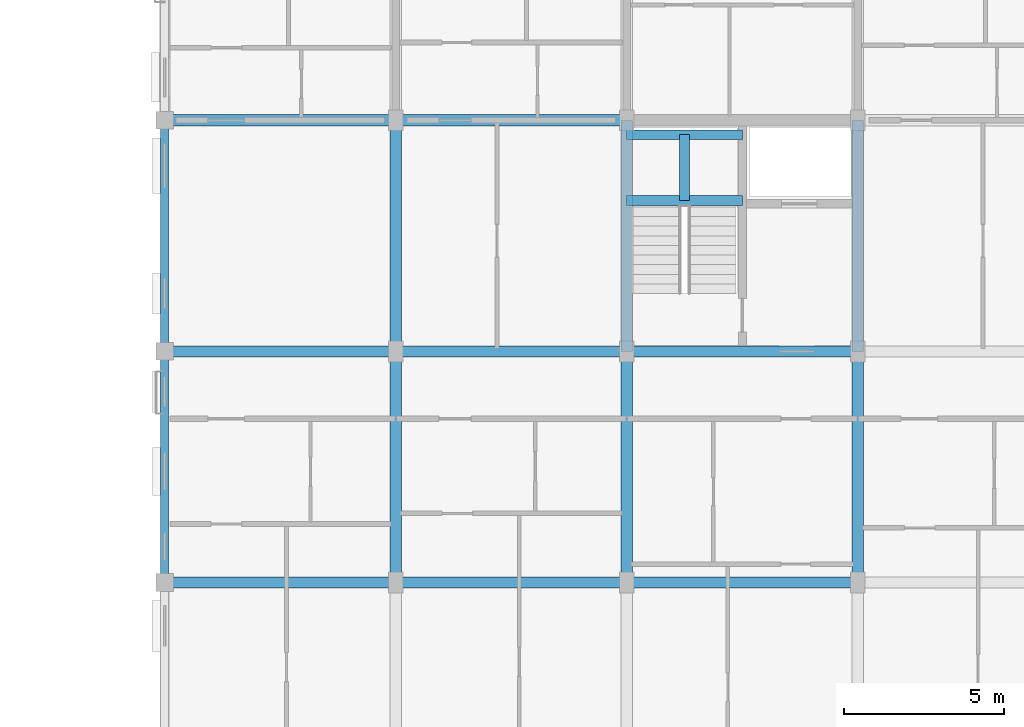
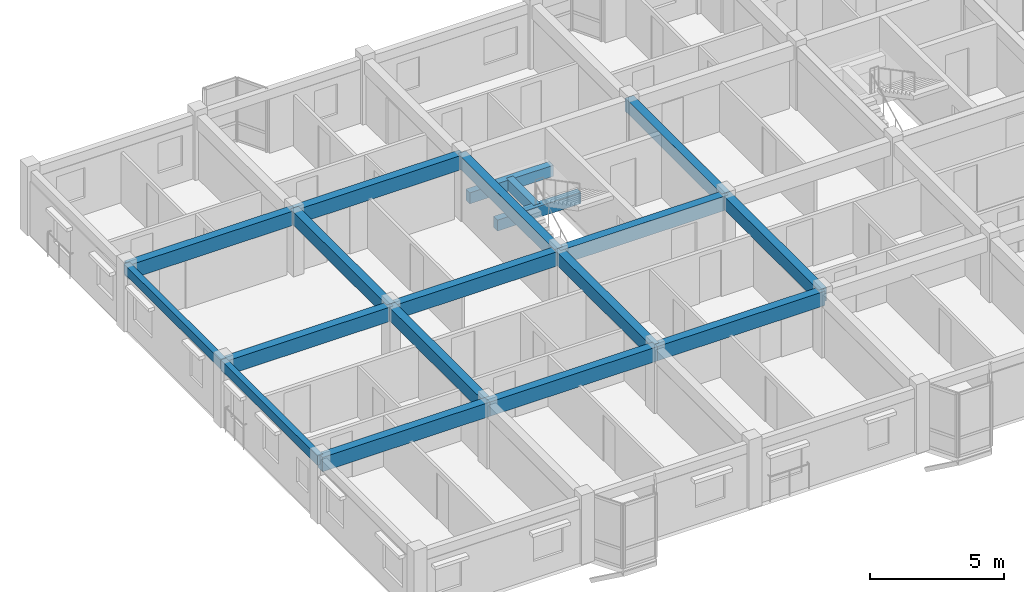
# One storey, part 36 of 79: 19 beams.
"""IFC4 building model written with IfcOpenShell, lengths in metres."""

from ifc_helpers import new_model, si_unit, direction, frame, origin, origin_2d, place, context, subcontext, project, spatial, rectangle, extrude, material, material_profile, profile_set, type_object, element, save


model = new_model("IFC4")

# Units and contexts
model_context = context("Model", 3, precision=1e-05, world=origin(), true_north=direction((0.0, 1.0)))
body_context = subcontext(model_context, "Body", "Model", "MODEL_VIEW")
ifc_project = project(units=[si_unit("LENGTHUNIT", "METRE"), si_unit("AREAUNIT", "SQUARE_METRE"), si_unit("VOLUMEUNIT", "CUBIC_METRE"), si_unit("PLANEANGLEUNIT", "RADIAN"), si_unit("MASSUNIT", "GRAM", prefix="KILO"), si_unit("THERMODYNAMICTEMPERATUREUNIT", "KELVIN"), si_unit("POWERUNIT", "WATT")], contexts=[model_context])

# Site, building, storey
site_placement = place(None, origin())
site = spatial("IfcSite", under=ifc_project, at=site_placement, CompositionType="ELEMENT")
building_placement = place(site_placement, origin())
building = spatial("IfcBuilding", under=site, at=building_placement, Name="Tavuni Mirador Residences", CompositionType="ELEMENT")
storey_placement = place(building_placement, frame((0.0, 0.0, 13.949951171875)))
storey = spatial("IfcBuildingStorey", under=building, at=storey_placement, Name="L04", CompositionType="ELEMENT", Elevation=13.949951171875)

# Beams
ifc_material = material(Name="Precast concrete C40/50", Category="concrete")
ifc_material_profile_1 = material_profile(ifc_material, rectangle(XDim=0.300048828125, YDim=0.5, at=origin_2d()), Name="PC 300x500", Category="concrete")
ifc_profile_set_1 = profile_set([ifc_material_profile_1], Name="Precast concrete C40/50")
beam_type_1 = type_object("IfcBeamType", Name="BT-B500", PredefinedType="BEAM", material=ifc_profile_set_1)
for number, where, z_axis, x_axis, name in (
    (1, (25.199951171875, 163.10009765625, 1.14501953125), (1.0, 0.0, 0.0), (0.0, 1.0, 0.0), "HLB1-C5-L04"),
    (2, (25.199951171875, 165.14990234375, 1.14501953125), (1.0, 0.0, 0.0), (0.0, 1.0, 0.0), "HLB2-C5-L04"),
):
    element("IfcBeam", number, at=place(storey_placement, frame(where, z_axis=z_axis, x_axis=x_axis)), inside=storey, type_object=beam_type_1, Name=name, PredefinedType="BEAM", context=body_context, shape_type="SweptSolid", body=[
        extrude(rectangle(XDim=0.300048828125, YDim=0.5, at=origin_2d()), origin(), (0.0, 0.0, 1.0), 3.60009765625),
    ])
beam_1_placement = place(storey_placement, frame((27.0, 163.10009765625, 1.14501953125), z_axis=(0.0, 1.0, 0.0), x_axis=(-1.0, 0.0, 0.0)))
element("IfcBeam", 3, at=beam_1_placement, inside=storey, type_object=beam_type_1, Name="HLB3-C5-L04", PredefinedType="BEAM", context=body_context, shape_type="SweptSolid", body=[
    extrude(rectangle(XDim=0.300048828125, YDim=0.5, at=origin_2d()), origin(), (0.0, 0.0, 1.0), 2.0498046875),
])
ifc_material_profile_2 = material_profile(ifc_material, rectangle(XDim=0.35009765625, YDim=0.60009765625, at=origin_2d()), Name="PC 350x600", Category="concrete")
ifc_profile_set_2 = profile_set([ifc_material_profile_2], Name="Precast concrete C40/50")
beam_type_2 = type_object("IfcBeamType", Name="BT-B600", PredefinedType="BEAM", material=ifc_profile_set_2)
beam_2_placement = place(storey_placement, frame((18.0, 151.199951171875, 2.5849609375), z_axis=(0.0, 1.0, 0.0), x_axis=(-1.0, 0.0, 0.0)))
element("IfcBeam", 4, at=beam_2_placement, inside=storey, type_object=beam_type_2, Name="BMY-BLK-C-L04-01-01", PredefinedType="BEAM", context=body_context, shape_type="SweptSolid", body=[
    extrude(rectangle(XDim=0.35009765625, YDim=0.60009765625, at=origin_2d()), origin(), (0.0, 0.0, 1.0), 7.199951171875),
])
beam_3_placement = place(storey_placement, frame((18.0, 158.39990234375, 2.5849609375), z_axis=(0.0, 1.0, 0.0), x_axis=(-1.0, 0.0, 0.0)))
element("IfcBeam", 5, at=beam_3_placement, inside=storey, type_object=beam_type_2, Name="BMY-BLK-C-L04-01-02", PredefinedType="BEAM", context=body_context, shape_type="SweptSolid", body=[
    extrude(rectangle(XDim=0.35009765625, YDim=0.60009765625, at=origin_2d()), origin(), (0.0, 0.0, 1.0), 7.2001953125),
])
beam_4_placement = place(storey_placement, frame((25.199951171875, 151.199951171875, 2.5849609375), z_axis=(0.0, 1.0, 0.0), x_axis=(-1.0, 0.0, 0.0)))
element("IfcBeam", 6, at=beam_4_placement, inside=storey, type_object=beam_type_2, Name="BMY-BLK-C-L04-02-01", PredefinedType="BEAM", context=body_context, shape_type="SweptSolid", body=[
    extrude(rectangle(XDim=0.35009765625, YDim=0.60009765625, at=origin_2d()), origin(), (0.0, 0.0, 1.0), 7.199951171875),
])
beam_5_placement = place(storey_placement, frame((25.199951171875, 158.39990234375, 2.5849609375), z_axis=(0.0, 1.0, 0.0), x_axis=(-1.0, 0.0, 0.0)))
element("IfcBeam", 7, at=beam_5_placement, inside=storey, type_object=beam_type_2, Name="BMY-BLK-C-L04-02-02", PredefinedType="BEAM", context=body_context, shape_type="SweptSolid", body=[
    extrude(rectangle(XDim=0.35009765625, YDim=0.60009765625, at=origin_2d()), origin(), (0.0, 0.0, 1.0), 7.2001953125),
])
beam_6_placement = place(storey_placement, frame((32.39990234375, 151.199951171875, 2.5849609375), z_axis=(0.0, 1.0, 0.0), x_axis=(-1.0, 0.0, 0.0)))
element("IfcBeam", 8, at=beam_6_placement, inside=storey, type_object=beam_type_2, Name="BMY-BLK-C-L04-03-01", PredefinedType="BEAM", context=body_context, shape_type="SweptSolid", body=[
    extrude(rectangle(XDim=0.35009765625, YDim=0.60009765625, at=origin_2d()), origin(), (0.0, 0.0, 1.0), 7.199951171875),
])
beam_7_placement = place(storey_placement, frame((32.39990234375, 158.39990234375, 2.5849609375), z_axis=(0.0, 1.0, 0.0), x_axis=(-1.0, 0.0, 0.0)))
element("IfcBeam", 9, at=beam_7_placement, inside=storey, type_object=beam_type_2, Name="BMY-BLK-C-L04-03-02", PredefinedType="BEAM", context=body_context, shape_type="SweptSolid", body=[
    extrude(rectangle(XDim=0.35009765625, YDim=0.60009765625, at=origin_2d()), origin(), (0.0, 0.0, 1.0), 7.2001953125),
])
ifc_material_profile_3 = material_profile(ifc_material, rectangle(XDim=0.35009765625, YDim=0.64990234375, at=origin_2d()), Name="PC 350x650", Category="concrete")
ifc_profile_set_3 = profile_set([ifc_material_profile_3], Name="Precast concrete C40/50")
beam_type_3 = type_object("IfcBeamType", Name="BT-B650", PredefinedType="BEAM", material=ifc_profile_set_3)
for number, where, z_axis, x_axis, name in (
    (10, (10.800048828125, 151.199951171875, 2.56005859375), (1.0, 0.0, 0.0), (0.0, 1.0, 0.0), "BMX-BLK-C-L04-00-01"),
    (11, (18.0, 151.199951171875, 2.56005859375), (1.0, 0.0, 0.0), (0.0, 1.0, 0.0), "BMX-BLK-C-L04-01-01"),
    (12, (25.199951171875, 151.199951171875, 2.56005859375), (1.0, 0.0, 0.0), (0.0, 1.0, 0.0), "BMX-BLK-C-L04-02-01"),
    (13, (10.800048828125, 158.39990234375, 2.56005859375), (1.0, 0.0, 0.0), (0.0, 1.0, 0.0), "BMX-BLK-C-L04-00-02"),
    (14, (18.0, 158.39990234375, 2.56005859375), (1.0, 0.0, 0.0), (0.0, 1.0, 0.0), "BMX-BLK-C-L04-01-02"),
    (15, (25.199951171875, 158.39990234375, 2.56005859375), (1.0, 0.0, 0.0), (0.0, 1.0, 0.0), "BMX-BLK-C-L04-02-02"),
    (16, (10.800048828125, 165.60009765625, 2.56005859375), (1.0, 0.0, 0.0), (0.0, 1.0, 0.0), "BMX-BLK-C-L04-00-03"),
    (17, (18.0, 165.60009765625, 2.56005859375), (1.0, 0.0, 0.0), (0.0, 1.0, 0.0), "BMX-BLK-C-L04-01-03"),
):
    element("IfcBeam", number, at=place(storey_placement, frame(where, z_axis=z_axis, x_axis=x_axis)), inside=storey, type_object=beam_type_3, Name=name, PredefinedType="BEAM", context=body_context, shape_type="SweptSolid", body=[
        extrude(rectangle(XDim=0.35009765625, YDim=0.64990234375, at=origin_2d()), origin(), (0.0, 0.0, 1.0), 7.199951171875),
    ])
ifc_material_profile_4 = material_profile(ifc_material, rectangle(XDim=0.25, YDim=0.419921875, at=origin_2d()), Name="PC 250x420", Category="concrete")
ifc_profile_set_4 = profile_set([ifc_material_profile_4], Name="Precast concrete C40/50")
beam_type_4 = type_object("IfcBeamType", Name="BT-SP420", PredefinedType="SPANDREL", material=ifc_profile_set_4)
beam_8_placement = place(storey_placement, frame((10.800048828125, 151.199951171875, 2.675048828125), z_axis=(0.0, 1.0, 0.0), x_axis=(-1.0, 0.0, 0.0)))
element("IfcBeam", 18, at=beam_8_placement, inside=storey, type_object=beam_type_4, Name="BMY-BLK-C-L04-00-01", PredefinedType="SPANDREL", context=body_context, shape_type="SweptSolid", body=[
    extrude(rectangle(XDim=0.25, YDim=0.419921875, at=origin_2d()), origin(), (0.0, 0.0, 1.0), 7.199951171875),
])
beam_9_placement = place(storey_placement, frame((10.800048828125, 158.39990234375, 2.675048828125), z_axis=(0.0, 1.0, 0.0), x_axis=(-1.0, 0.0, 0.0)))
element("IfcBeam", 19, at=beam_9_placement, inside=storey, type_object=beam_type_4, Name="BMY-BLK-C-L04-00-02", PredefinedType="SPANDREL", context=body_context, shape_type="SweptSolid", body=[
    extrude(rectangle(XDim=0.25, YDim=0.419921875, at=origin_2d()), origin(), (0.0, 0.0, 1.0), 7.2001953125),
])

save(model, "model.ifc")
